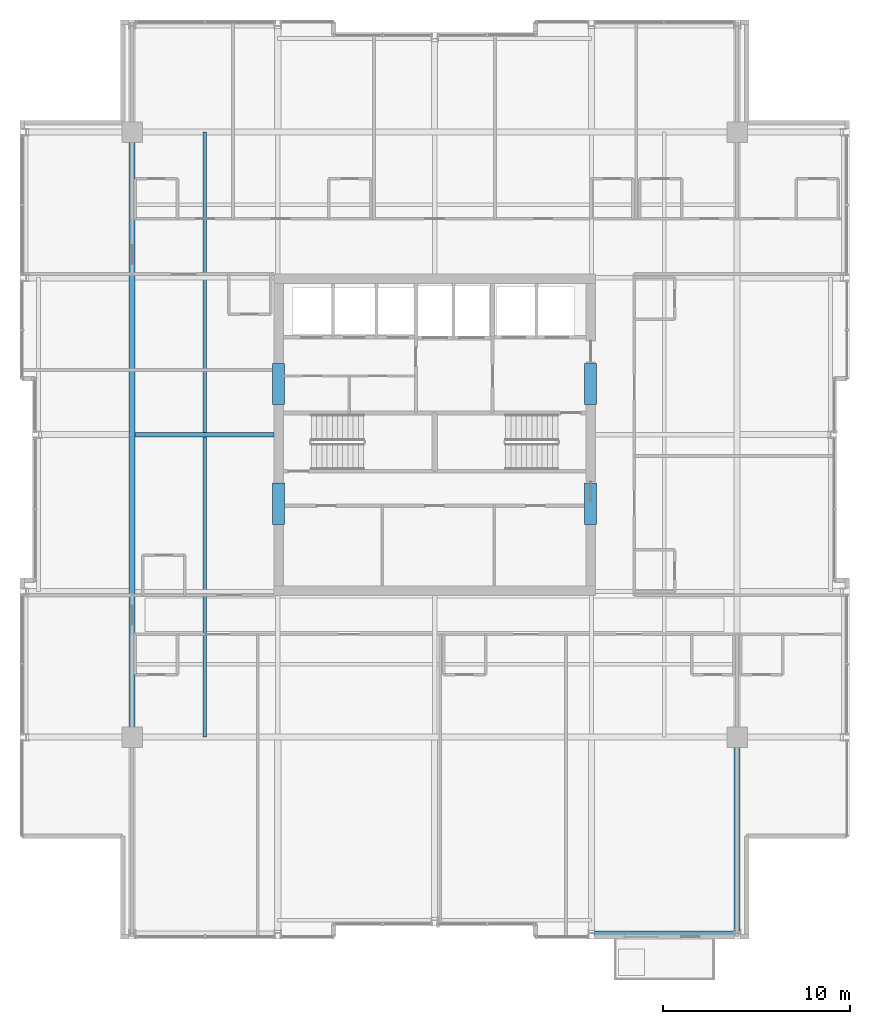
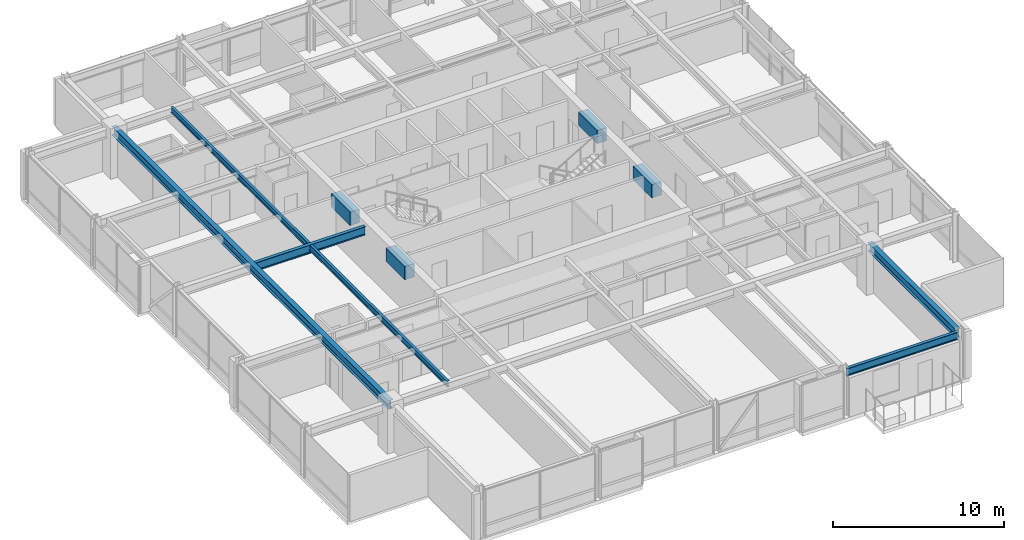
# One storey, part 12 of 32: 9 beams.
"""IFC4 building model written with IfcOpenShell, lengths in metres."""

from ifc_helpers import new_model, si_unit, direction, frame, origin, origin_2d, place, context, subcontext, project, spatial, rectangle, i_section, extrude, material, material_profile, profile_set, type_object, element, save


model = new_model("IFC4")

# Units and contexts
model_context = context("Model", 3, precision=1e-05, world=origin(), true_north=direction((0.0, 1.0)))
body_context = subcontext(model_context, "Body", "Model", "MODEL_VIEW")
ifc_project = project(units=[si_unit("LENGTHUNIT", "METRE"), si_unit("AREAUNIT", "SQUARE_METRE"), si_unit("VOLUMEUNIT", "CUBIC_METRE"), si_unit("PLANEANGLEUNIT", "RADIAN"), si_unit("MASSUNIT", "GRAM", prefix="KILO")], contexts=[model_context])

# Site, building, storey
site_placement = place(None, origin())
site = spatial("IfcSite", under=ifc_project, at=site_placement, CompositionType="ELEMENT")
building_placement = place(site_placement, origin())
building = spatial("IfcBuilding", under=site, at=building_placement, Name="Drelvath Grand Hotel", CompositionType="ELEMENT")
storey_placement = place(building_placement, frame((0.0, 0.0, 241.10009765625)))
storey = spatial("IfcBuildingStorey", under=building, at=storey_placement, Name="L63", CompositionType="ELEMENT", Elevation=241.10009765625)

# Beams
ifc_material_1 = material(Name="Steel ASTM A992 Gr 50", Category="steel")
ifc_material_profile_1 = material_profile(ifc_material_1, i_section(OverallWidth=0.177734375, OverallDepth=0.40673828125, WebThickness=0.0078125, FlangeThickness=0.0126953125, FilletRadius=0.014892578125, at=origin_2d()), Name="W16X40")
ifc_profile_set_1 = profile_set([ifc_material_profile_1], Name="Steel ASTM A992 Gr 50")
beam_type_1 = type_object("IfcBeamType", Name="Composite Floor Joist W16X40", PredefinedType="JOIST", material=ifc_profile_set_1)
beam_1_placement = place(storey_placement, frame((-12.300048828125, 10.800048828125, 3.136474609375), z_axis=(0.0, 1.0, 0.0), x_axis=(-1.0, 0.0, 0.0)))
element("IfcBeam", 1, at=beam_1_placement, inside=storey, type_object=beam_type_1, Name="L63 Wing Floor Joist J3", PredefinedType="JOIST", context=body_context, shape_type="SweptSolid", body=[
    extrude(i_section(OverallWidth=0.177734375, OverallDepth=0.40673828125, WebThickness=0.0078125, FlangeThickness=0.0126953125, FilletRadius=0.014892578125, at=origin_2d()), origin(), (0.0, 0.0, 1.0), 32.39990234375),
])
ifc_material_2 = material(Name="Concrete f'c 55 MPa", Category="concrete")
ifc_material_profile_2 = material_profile(ifc_material_2, rectangle(XDim=0.64990234375, YDim=0.949951171875, at=origin_2d()), Name="CB650X950")
ifc_profile_set_2 = profile_set([ifc_material_profile_2], Name="Concrete f'c 55 MPa")
beam_type_2 = type_object("IfcBeamType", Name="Core Coupling Lintel CB650X950", PredefinedType="LINTEL", material=ifc_profile_set_2)
for number, where, z_axis, x_axis, name in (
    (2, (-8.35009765625, 22.199951171875, 2.864990234375), (0.0, 1.0, 0.0), (-1.0, 0.0, 0.0), "L63 Core Coupling Lintel WS"),
    (3, (-8.35009765625, 28.60009765625, 2.864990234375), (0.0, 1.0, 0.0), (-1.0, 0.0, 0.0), "L63 Core Coupling Lintel WN"),
    (4, (8.35009765625, 22.199951171875, 2.864990234375), (0.0, 1.0, 0.0), (-1.0, 0.0, 0.0), "L63 Core Coupling Lintel ES"),
    (5, (8.35009765625, 28.60009765625, 2.864990234375), (0.0, 1.0, 0.0), (-1.0, 0.0, 0.0), "L63 Core Coupling Lintel EN"),
):
    element("IfcBeam", number, at=place(storey_placement, frame(where, z_axis=z_axis, x_axis=x_axis)), inside=storey, type_object=beam_type_2, Name=name, PredefinedType="LINTEL", context=body_context, shape_type="SweptSolid", body=[
        extrude(rectangle(XDim=0.64990234375, YDim=0.949951171875, at=origin_2d()), origin(), (0.0, 0.0, 1.0), 2.199951171875),
    ])
ifc_material_profile_3 = material_profile(ifc_material_1, i_section(OverallWidth=0.210205078125, OverallDepth=0.53662109375, WebThickness=0.010986328125, FlangeThickness=0.017333984375, FilletRadius=0.01806640625, at=origin_2d()), Name="W21X68")
ifc_profile_set_3 = profile_set([ifc_material_profile_3], Name="Steel ASTM A992 Gr 50")
beam_type_3 = type_object("IfcBeamType", Name="Perimeter Spandrel Beam W21X68", PredefinedType="SPANDREL", material=ifc_profile_set_3)
beam_2_placement = place(storey_placement, frame((8.5400390625, 0.320068359375, 3.071533203125), z_axis=(1.0, 0.0, 0.0), x_axis=(0.0, 1.0, 0.0)))
element("IfcBeam", 6, at=beam_2_placement, inside=storey, type_object=beam_type_3, Name="L63 Spandrel South E", PredefinedType="SPANDREL", context=body_context, shape_type="SweptSolid", body=[
    extrude(i_section(OverallWidth=0.210205078125, OverallDepth=0.53662109375, WebThickness=0.010986328125, FlangeThickness=0.017333984375, FilletRadius=0.01806640625, at=origin_2d()), origin(), (0.0, 0.0, 1.0), 7.52001953125),
])
ifc_material_profile_4 = material_profile(ifc_material_1, i_section(OverallWidth=0.323974609375, OverallDepth=0.611083984375, WebThickness=0.0126953125, FlangeThickness=0.01904296875, FilletRadius=0.02197265625, at=origin_2d()), Name="W24X104")
ifc_profile_set_4 = profile_set([ifc_material_profile_4], Name="Steel ASTM A992 Gr 50")
beam_type_4 = type_object("IfcBeamType", Name="Primary Floor Girder W24X104", PredefinedType="BEAM", material=ifc_profile_set_4)
beam_3_placement = place(storey_placement, frame((-16.199951171875, 10.800048828125, 3.034423828125), z_axis=(0.0, 1.0, 0.0), x_axis=(-1.0, 0.0, 0.0)))
element("IfcBeam", 7, at=beam_3_placement, inside=storey, type_object=beam_type_4, Name="L63 Mega Ring Girder West", PredefinedType="BEAM", context=body_context, shape_type="SweptSolid", body=[
    extrude(i_section(OverallWidth=0.323974609375, OverallDepth=0.611083984375, WebThickness=0.0126953125, FlangeThickness=0.01904296875, FilletRadius=0.02197265625, at=origin_2d()), origin(), (0.0, 0.0, 1.0), 32.39990234375),
])
beam_4_placement = place(storey_placement, frame((16.199951171875, 0.4599609375, 3.034423828125), z_axis=(0.0, 1.0, 0.0), x_axis=(-1.0, 0.0, 0.0)))
element("IfcBeam", 8, at=beam_4_placement, inside=storey, type_object=beam_type_4, Name="L63 South Grid Girder 7", PredefinedType="BEAM", context=body_context, shape_type="SweptSolid", body=[
    extrude(i_section(OverallWidth=0.323974609375, OverallDepth=0.611083984375, WebThickness=0.0126953125, FlangeThickness=0.01904296875, FilletRadius=0.02197265625, at=origin_2d()), origin(), (0.0, 0.0, 1.0), 10.340087890625),
])
ifc_material_profile_5 = material_profile(ifc_material_1, i_section(OverallWidth=0.228271484375, OverallDepth=0.607666015625, WebThickness=0.01123046875, FlangeThickness=0.017333984375, FilletRadius=0.02001953125, at=origin_2d()), Name="W24X76")
ifc_profile_set_5 = profile_set([ifc_material_profile_5], Name="Steel ASTM A992 Gr 50")
beam_type_5 = type_object("IfcBeamType", Name="Primary Floor Girder W24X76", PredefinedType="BEAM", material=ifc_profile_set_5)
beam_5_placement = place(storey_placement, frame((-16.0380859375, 27.0, 3.0361328125), z_axis=(1.0, 0.0, 0.0), x_axis=(0.0, 1.0, 0.0)))
element("IfcBeam", 9, at=beam_5_placement, inside=storey, type_object=beam_type_5, Name="L63 West Core Tie E", PredefinedType="BEAM", context=body_context, shape_type="SweptSolid", body=[
    extrude(i_section(OverallWidth=0.228271484375, OverallDepth=0.607666015625, WebThickness=0.01123046875, FlangeThickness=0.017333984375, FilletRadius=0.02001953125, at=origin_2d()), origin(), (0.0, 0.0, 1.0), 7.43798828125),
])

save(model, "model.ifc")
